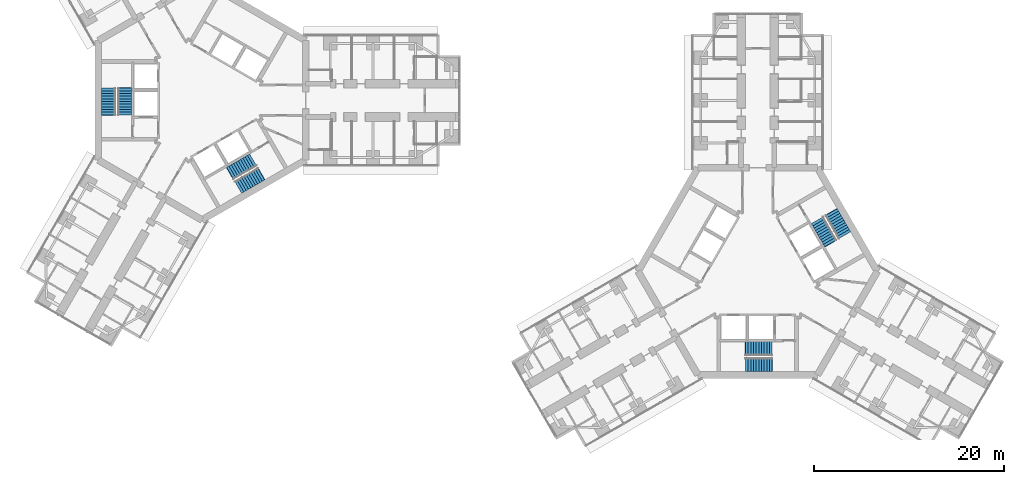
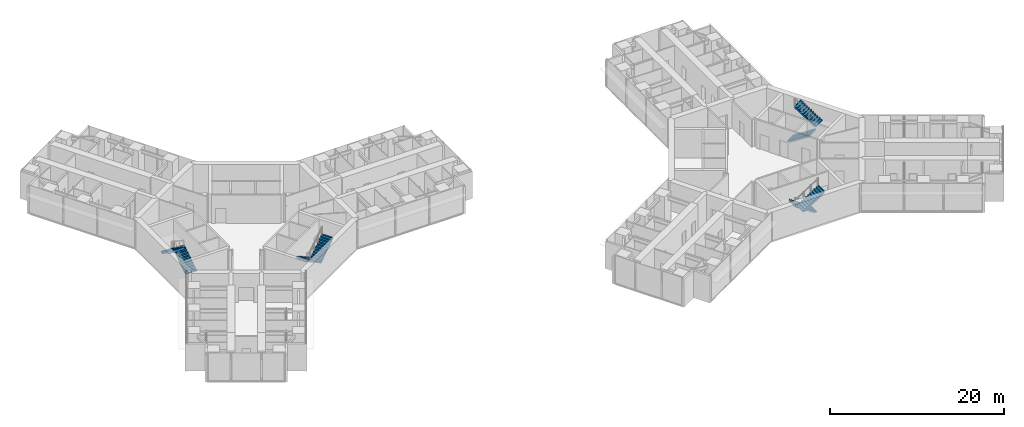
# One storey, part 24 of 25: 8 stair flights, 4 elements without a shape of their own.
"""IFC4 building model written with IfcOpenShell, lengths in metres."""

import ifcopenshell
import ifcopenshell.guid

model = None  # the IFC model being written
_history = None  # IfcOwnerHistory: only IFC2X3 demands one
_inside = {}  # id of a spatial element -> (the spatial element, [elements in it])
_under = {}  # id of a project, library or spatial element -> (it, [spatial elements below it])
_declared = {}  # id of a project -> (the project, [libraries it declares])
_typed = {}  # id of a type object -> (the type object, [elements of that type])
_made_of = {}  # id of a material, layer set ... -> (it, [elements and type objects made of it])


def new_model(schema):
    """Start an empty IFC model of exactly this schema.

    Asked for "IFC4X3", IfcOpenShell would pick the latest addendum, in which some entities
    have other attributes; the version numbers below select the first issue.
    IFC2X3 requires an IfcOwnerHistory on every rooted entity: one is made here for all.
    """
    global model, _history
    if schema == "IFC4X3":
        model = ifcopenshell.file(schema_version=(4, 3, 0, 0))
    else:
        model = ifcopenshell.file(schema=schema)
    _inside.clear()
    _under.clear()
    _declared.clear()
    _typed.clear()
    _made_of.clear()
    _history = None
    if model.schema == "IFC2X3":
        org = make("IfcOrganization", Name="unknown")
        user = make(
            "IfcPersonAndOrganization",
            ThePerson=make("IfcPerson", FamilyName="unknown"),
            TheOrganization=org,
        )
        app = make(
            "IfcApplication",
            ApplicationDeveloper=org,
            Version="unknown",
            ApplicationFullName="unknown",
            ApplicationIdentifier="unknown",
        )
        _history = make(
            "IfcOwnerHistory",
            OwningUser=user,
            OwningApplication=app,
            ChangeAction="ADDED",
            CreationDate=0,
        )
    return model


def make(cls, **values):
    """One entity of the class cls with the attributes given. An attribute that is None is left unset."""
    return model.create_entity(
        cls, **{name: value for name, value in values.items() if value is not None}
    )


def rooted(cls, **values):
    """An entity with a GlobalId (a new one), such as an element, a storey or a relation."""
    return make(cls, GlobalId=ifcopenshell.guid.new(), OwnerHistory=_history, **values)


def si_unit(unit_type, name, prefix=None):
    """IfcSIUnit, for example si_unit("LENGTHUNIT", "METRE", prefix="MILLI")."""
    return make("IfcSIUnit", UnitType=unit_type, Prefix=prefix, Name=name)


def assignment(units):
    """IfcUnitAssignment: the units of a project."""
    return None if units is None else make("IfcUnitAssignment", Units=units)


def point(xyz):
    """IfcCartesianPoint."""
    return None if xyz is None else make("IfcCartesianPoint", Coordinates=xyz)


def direction(xyz):
    """IfcDirection."""
    return None if xyz is None else make("IfcDirection", DirectionRatios=xyz)


def frame(location, z_axis=None, x_axis=None):
    """IfcAxis2Placement3D, a coordinate frame: its origin and axes. An axis left out is left unset."""
    return make(
        "IfcAxis2Placement3D",
        Location=point(location),
        Axis=direction(z_axis),
        RefDirection=direction(x_axis),
    )


def origin():
    """The frame at (0, 0, 0) with its axes left unset."""
    return frame((0.0, 0.0, 0.0))


def place(relative_to, where):
    """IfcLocalPlacement: puts the frame where relative to a parent placement (None: the world)."""
    return make(
        "IfcLocalPlacement", PlacementRelTo=relative_to, RelativePlacement=where
    )


def context(
    kind, dimensions, precision=None, world=None, true_north=None, identifier=None
):
    """IfcGeometricRepresentationContext, for example the 3D "Model" context."""
    return make(
        "IfcGeometricRepresentationContext",
        ContextIdentifier=identifier,
        ContextType=kind,
        CoordinateSpaceDimension=dimensions,
        Precision=precision,
        WorldCoordinateSystem=world,
        TrueNorth=true_north,
    )


def subcontext(parent, identifier, kind, view, scale=None):
    """IfcGeometricRepresentationSubContext, for example "Body" below "Model"."""
    return make(
        "IfcGeometricRepresentationSubContext",
        ContextIdentifier=identifier,
        ContextType=kind,
        ParentContext=parent,
        TargetScale=scale,
        TargetView=view,
    )


def project(units=None, contexts=None):
    """IfcProject with its units and contexts."""
    return rooted(
        "IfcProject",
        Name="project",
        RepresentationContexts=contexts,
        UnitsInContext=assignment(units),
    )


def spatial(cls, under=None, at=None, **own):
    """A site, building, storey or space (cls), placed at a placement, below another one or the project."""
    s = rooted(cls, ObjectPlacement=at, **own)
    if under is not None:
        _under.setdefault(under.id(), (under, []))[1].append(s)
    return s


def polyline(points):
    """IfcPolyline through the points."""
    return make("IfcPolyline", Points=[point(p) for p in points])


def outline(outer, holes=None, kind="AREA"):
    """IfcArbitraryClosedProfileDef: a profile drawn as a closed curve; with holes, ...WithVoids."""
    if holes is None:
        return make("IfcArbitraryClosedProfileDef", ProfileType=kind, OuterCurve=outer)
    return make(
        "IfcArbitraryProfileDefWithVoids",
        ProfileType=kind,
        OuterCurve=outer,
        InnerCurves=holes,
    )


def extrude(swept, where, along, depth):
    """IfcExtrudedAreaSolid: the profile swept, set in the frame where, extruded along a direction by depth."""
    return make(
        "IfcExtrudedAreaSolid",
        SweptArea=swept,
        Position=where,
        ExtrudedDirection=direction(along),
        Depth=depth,
    )


def shape(context_of_items, identifier, shape_type, items):
    """IfcShapeRepresentation: the items that make up one representation, for example the "Body"."""
    return make(
        "IfcShapeRepresentation",
        ContextOfItems=context_of_items,
        RepresentationIdentifier=identifier,
        RepresentationType=shape_type,
        Items=items,
    )


def material(Name=None, Category=None):
    """IfcMaterial."""
    return make("IfcMaterial", Name=Name, Category=Category)


def made_of(thing, what):
    """Note that an element or type object is made of a material, layer set ...; save() writes the relation."""
    if what is not None:
        _made_of.setdefault(what.id(), (what, []))[1].append(thing)
    return thing


def type_object(cls, material=None, **own):
    """A type object (cls), such as IfcWallType, which elements share."""
    return made_of(rooted(cls, **own), material)


def element(
    cls,
    number,
    at=None,
    inside=None,
    cuts=None,
    type_object=None,
    material=None,
    context=None,
    identifier="Body",
    shape_type=None,
    held_by="IfcProductDefinitionShape",
    body=None,
    shapes=None,
    **own,
):
    """One element of the class cls, such as IfcWall. Its Tag is "e" and its number.

    at: its placement. inside: the storey or other place that contains it. cuts: it is an
    opening in that element (IfcRelVoidsElement). A single representation is given by context,
    identifier, shape_type and body (its items); several are given by shapes. held_by: the class
    of the entity that holds the representations. save() writes the other relations.
    """
    e = rooted(cls, Tag="e%d" % number, ObjectPlacement=at, **own)
    if body is not None:
        shapes = [shape(context, identifier, shape_type, body)]
    if shapes is not None:
        e.Representation = make(held_by, Representations=shapes)
    if inside is not None:
        _inside.setdefault(inside.id(), (inside, []))[1].append(e)
    if cuts is not None:
        rooted(
            "IfcRelVoidsElement", RelatingBuildingElement=cuts, RelatedOpeningElement=e
        )
    if type_object is not None:
        _typed.setdefault(type_object.id(), (type_object, []))[1].append(e)
    return made_of(e, material)


def aggregate(whole, parts):
    """IfcRelAggregates: a whole, such as a stair, and the parts it consists of."""
    return rooted("IfcRelAggregates", RelatingObject=whole, RelatedObjects=parts)


def save(model, path):
    """Write the relations noted so far, then the file.

    IfcRelAggregates (storeys below a building ...), IfcRelContainedInSpatialStructure (elements
    in a storey), IfcRelDefinesByType, IfcRelAssociatesMaterial and IfcRelDeclares: one each for
    every whole, place, type object, material and project.
    """
    for whole, parts in _under.values():
        aggregate(whole, parts)
    for where, things in _inside.values():
        rooted(
            "IfcRelContainedInSpatialStructure",
            RelatedElements=things,
            RelatingStructure=where,
        )
    for kind, things in _typed.values():
        rooted("IfcRelDefinesByType", RelatedObjects=things, RelatingType=kind)
    for what, things in _made_of.values():
        rooted("IfcRelAssociatesMaterial", RelatedObjects=things, RelatingMaterial=what)
    for by, libraries in _declared.values():
        rooted("IfcRelDeclares", RelatingContext=by, RelatedDefinitions=libraries)
    model.write(path)


model = new_model("IFC4")

# Units and contexts
model_context = context("Model", 3, precision=1e-05, world=origin(), true_north=direction((0.0, 1.0)))
body_context = subcontext(model_context, "Body", "Model", "MODEL_VIEW")
ifc_project = project(units=[si_unit("LENGTHUNIT", "METRE"), si_unit("AREAUNIT", "SQUARE_METRE"), si_unit("VOLUMEUNIT", "CUBIC_METRE"), si_unit("PLANEANGLEUNIT", "RADIAN"), si_unit("MASSUNIT", "GRAM", prefix="KILO")], contexts=[model_context])

# Site, building, storey
site_placement = place(None, origin())
site = spatial("IfcSite", under=ifc_project, at=site_placement, CompositionType="ELEMENT")
building_placement = place(site_placement, origin())
building = spatial("IfcBuilding", under=site, at=building_placement, Name="Upepo Twin Towers", CompositionType="ELEMENT")
storey_placement = place(building_placement, frame((0.0, 0.0, 76.5)))
storey = spatial("IfcBuildingStorey", under=building, at=storey_placement, Name="L18", CompositionType="ELEMENT", Elevation=76.5)

# Stair, stair flights
ifc_material_1 = material(Name="Concrete C40/50", Category="concrete")
stair_type = type_object("IfcStairType", Name="Core stair, two flights", PredefinedType="HALF_TURN_STAIR", material=ifc_material_1)
stair_1_placement = place(storey_placement, origin())
stair_1 = element("IfcStair", 1, at=stair_1_placement, inside=storey, type_object=stair_type, Name="T1 stair S1 L18", PredefinedType="HALF_TURN_STAIR")
ifc_material_2 = material(Name="Concrete C40/50", Category="concrete")
stair_flight_type = type_object("IfcStairFlightType", Name="Stair flight 1450 RC", PredefinedType="STRAIGHT", material=ifc_material_2)
stair_flight_1_placement = place(storey_placement, frame((-8.125, -1.52001953125, 0.0), z_axis=(0.0, 0.0, 1.0), x_axis=(0.0, 1.0, 0.0)))
stair_flight_1 = element("IfcStairFlight", 2, at=stair_flight_1_placement, type_object=stair_flight_type, Name="Stair S1 flight 1", NumberOfRisers=11, NumberOfTreads=10, PredefinedType="STRAIGHT", RiserHeight=0.181818182, TreadLength=0.28, context=body_context, shape_type="SweptSolid", body=[
    extrude(outline(polyline([(0.0, 0.0), (0.0, 0.181884765625), (0.280029296875, 0.181884765625), (0.280029296875, 0.363525390625), (0.56005859375, 0.363525390625), (0.56005859375, 0.54541015625), (0.840087890625, 0.54541015625), (0.840087890625, 0.727294921875), (1.1201171875, 0.727294921875), (1.1201171875, 0.9091796875), (1.39990234375, 0.9091796875), (1.39990234375, 1.0908203125), (1.679931640625, 1.0908203125), (1.679931640625, 1.272705078125), (1.9599609375, 1.272705078125), (1.9599609375, 1.45458984375), (2.239990234375, 1.45458984375), (2.239990234375, 1.636474609375), (2.52001953125, 1.636474609375), (2.52001953125, 1.818115234375), (2.800048828125, 1.818115234375), (2.800048828125, 2.0), (2.85009765625, 2.0), (2.85009765625, 1.639404296875), (0.3251953125, 0.0), (0.0, 0.0)])), frame((0.0, 0.72509765625, 0.0), z_axis=(0.0, -1.0, 0.0), x_axis=(1.0, 0.0, 0.0)), (0.0, 0.0, 1.0), 1.449951171875),
])
stair_flight_2_placement = place(storey_placement, frame((-9.833251953125, 1.280029296875, 2.0), z_axis=(0.0, 0.0, 1.0), x_axis=(0.0, -1.0, 0.0)))
stair_flight_2 = element("IfcStairFlight", 3, at=stair_flight_2_placement, type_object=stair_flight_type, Name="Stair S1 flight 2", NumberOfRisers=11, NumberOfTreads=10, PredefinedType="STRAIGHT", RiserHeight=0.181818182, TreadLength=0.28, context=body_context, shape_type="SweptSolid", body=[
    extrude(outline(polyline([(0.0, 0.0), (0.0, 0.181884765625), (0.280029296875, 0.181884765625), (0.280029296875, 0.363525390625), (0.56005859375, 0.363525390625), (0.56005859375, 0.54541015625), (0.840087890625, 0.54541015625), (0.840087890625, 0.727294921875), (1.1201171875, 0.727294921875), (1.1201171875, 0.9091796875), (1.39990234375, 0.9091796875), (1.39990234375, 1.0908203125), (1.679931640625, 1.0908203125), (1.679931640625, 1.272705078125), (1.9599609375, 1.272705078125), (1.9599609375, 1.45458984375), (2.239990234375, 1.45458984375), (2.239990234375, 1.636474609375), (2.52001953125, 1.636474609375), (2.52001953125, 1.818115234375), (2.800048828125, 1.818115234375), (2.800048828125, 2.0), (2.85009765625, 2.0), (2.85009765625, 1.639404296875), (0.3251953125, 0.0), (0.0, 0.0)])), frame((0.0, 0.72509765625, 0.0), z_axis=(0.0, -1.0, 0.0), x_axis=(1.0, 0.0, 0.0)), (0.0, 0.0, 1.0), 1.449951171875),
])
aggregate(stair_1, [stair_flight_1, stair_flight_2])

stair_2_placement = place(storey_placement, origin())
stair_2 = element("IfcStair", 4, at=stair_2_placement, inside=storey, type_object=stair_type, Name="T1 stair S2 L18", PredefinedType="HALF_TURN_STAIR")
stair_flight_3_placement = place(storey_placement, frame((5.37890625, -6.2763671875, 0.0), z_axis=(0.0, 0.0, 1.0), x_axis=(-0.866025403784, -0.5, 0.0)))
stair_flight_3 = element("IfcStairFlight", 5, at=stair_flight_3_placement, type_object=stair_flight_type, Name="Stair S2 flight 1", NumberOfRisers=11, NumberOfTreads=10, PredefinedType="STRAIGHT", RiserHeight=0.181818182, TreadLength=0.28, context=body_context, shape_type="SweptSolid", body=[
    extrude(outline(polyline([(0.0, 0.0), (0.0, 0.181884765625), (0.280029296875, 0.181884765625), (0.280029296875, 0.363525390625), (0.56005859375, 0.363525390625), (0.56005859375, 0.54541015625), (0.840087890625, 0.54541015625), (0.840087890625, 0.727294921875), (1.1201171875, 0.727294921875), (1.1201171875, 0.9091796875), (1.39990234375, 0.9091796875), (1.39990234375, 1.0908203125), (1.679931640625, 1.0908203125), (1.679931640625, 1.272705078125), (1.9599609375, 1.272705078125), (1.9599609375, 1.45458984375), (2.239990234375, 1.45458984375), (2.239990234375, 1.636474609375), (2.52001953125, 1.636474609375), (2.52001953125, 1.818115234375), (2.800048828125, 1.818115234375), (2.800048828125, 2.0), (2.85009765625, 2.0), (2.85009765625, 1.639404296875), (0.3251953125, 0.0), (0.0, 0.0)])), frame((0.0, 0.72509765625, 0.0), z_axis=(0.0, -1.0, 0.0), x_axis=(1.0, 0.0, 0.0)), (0.0, 0.0, 1.0), 1.449951171875),
])
stair_flight_4_placement = place(storey_placement, frame((3.80810546875, -9.156005859375, 2.0), z_axis=(0.0, 0.0, 1.0), x_axis=(0.866025403784, 0.5, 0.0)))
stair_flight_4 = element("IfcStairFlight", 6, at=stair_flight_4_placement, type_object=stair_flight_type, Name="Stair S2 flight 2", NumberOfRisers=11, NumberOfTreads=10, PredefinedType="STRAIGHT", RiserHeight=0.181818182, TreadLength=0.28, context=body_context, shape_type="SweptSolid", body=[
    extrude(outline(polyline([(0.0, 0.0), (0.0, 0.181884765625), (0.280029296875, 0.181884765625), (0.280029296875, 0.363525390625), (0.56005859375, 0.363525390625), (0.56005859375, 0.54541015625), (0.840087890625, 0.54541015625), (0.840087890625, 0.727294921875), (1.1201171875, 0.727294921875), (1.1201171875, 0.9091796875), (1.39990234375, 0.9091796875), (1.39990234375, 1.0908203125), (1.679931640625, 1.0908203125), (1.679931640625, 1.272705078125), (1.9599609375, 1.272705078125), (1.9599609375, 1.45458984375), (2.239990234375, 1.45458984375), (2.239990234375, 1.636474609375), (2.52001953125, 1.636474609375), (2.52001953125, 1.818115234375), (2.800048828125, 1.818115234375), (2.800048828125, 2.0), (2.85009765625, 2.0), (2.85009765625, 1.639404296875), (0.3251953125, 0.0), (0.0, 0.0)])), frame((0.0, 0.72509765625, 0.0), z_axis=(0.0, -1.0, 0.0), x_axis=(1.0, 0.0, 0.0)), (0.0, 0.0, 1.0), 1.449951171875),
])
aggregate(stair_2, [stair_flight_3, stair_flight_4])

stair_3_placement = place(storey_placement, origin())
stair_3 = element("IfcStair", 7, at=stair_3_placement, inside=storey, type_object=stair_type, Name="T2 stair S1 L18", PredefinedType="HALF_TURN_STAIR")
stair_flight_5_placement = place(storey_placement, frame((60.02001953125, -26.125, 0.0), z_axis=(0.0, 0.0, 1.0), x_axis=(-1.0, 0.0, 0.0)))
stair_flight_5 = element("IfcStairFlight", 8, at=stair_flight_5_placement, type_object=stair_flight_type, Name="Stair S1 flight 1", NumberOfRisers=11, NumberOfTreads=10, PredefinedType="STRAIGHT", RiserHeight=0.181818182, TreadLength=0.28, context=body_context, shape_type="SweptSolid", body=[
    extrude(outline(polyline([(0.0, 0.0), (0.0, 0.181884765625), (0.280029296875, 0.181884765625), (0.280029296875, 0.363525390625), (0.56005859375, 0.363525390625), (0.56005859375, 0.54541015625), (0.840087890625, 0.54541015625), (0.840087890625, 0.727294921875), (1.1201171875, 0.727294921875), (1.1201171875, 0.9091796875), (1.39990234375, 0.9091796875), (1.39990234375, 1.0908203125), (1.679931640625, 1.0908203125), (1.679931640625, 1.272705078125), (1.9599609375, 1.272705078125), (1.9599609375, 1.45458984375), (2.239990234375, 1.45458984375), (2.239990234375, 1.636474609375), (2.52001953125, 1.636474609375), (2.52001953125, 1.818115234375), (2.800048828125, 1.818115234375), (2.800048828125, 2.0), (2.85009765625, 2.0), (2.85009765625, 1.639404296875), (0.3251953125, 0.0), (0.0, 0.0)])), frame((0.0, 0.72509765625, 0.0), z_axis=(0.0, -1.0, 0.0), x_axis=(1.0, 0.0, 0.0)), (0.0, 0.0, 1.0), 1.449951171875),
])
stair_flight_6_placement = place(storey_placement, frame((57.219970703125, -27.833251953125, 2.0), z_axis=(0.0, 0.0, 1.0), x_axis=(1.0, 0.0, 0.0)))
stair_flight_6 = element("IfcStairFlight", 9, at=stair_flight_6_placement, type_object=stair_flight_type, Name="Stair S1 flight 2", NumberOfRisers=11, NumberOfTreads=10, PredefinedType="STRAIGHT", RiserHeight=0.181818182, TreadLength=0.28, context=body_context, shape_type="SweptSolid", body=[
    extrude(outline(polyline([(0.0, 0.0), (0.0, 0.181884765625), (0.280029296875, 0.181884765625), (0.280029296875, 0.363525390625), (0.56005859375, 0.363525390625), (0.56005859375, 0.54541015625), (0.840087890625, 0.54541015625), (0.840087890625, 0.727294921875), (1.1201171875, 0.727294921875), (1.1201171875, 0.9091796875), (1.39990234375, 0.9091796875), (1.39990234375, 1.0908203125), (1.679931640625, 1.0908203125), (1.679931640625, 1.272705078125), (1.9599609375, 1.272705078125), (1.9599609375, 1.45458984375), (2.239990234375, 1.45458984375), (2.239990234375, 1.636474609375), (2.52001953125, 1.636474609375), (2.52001953125, 1.818115234375), (2.800048828125, 1.818115234375), (2.800048828125, 2.0), (2.85009765625, 2.0), (2.85009765625, 1.639404296875), (0.3251953125, 0.0), (0.0, 0.0)])), frame((0.0, 0.72509765625, 0.0), z_axis=(0.0, -1.0, 0.0), x_axis=(1.0, 0.0, 0.0)), (0.0, 0.0, 1.0), 1.449951171875),
])
aggregate(stair_3, [stair_flight_5, stair_flight_6])

stair_4_placement = place(storey_placement, origin())
stair_4 = element("IfcStair", 10, at=stair_4_placement, inside=storey, type_object=stair_type, Name="T2 stair S2 L18", PredefinedType="HALF_TURN_STAIR")
stair_flight_7_placement = place(storey_placement, frame((64.7763671875, -12.62109375, 0.0), z_axis=(0.0, 0.0, 1.0), x_axis=(0.5, -0.866025403784, 0.0)))
stair_flight_7 = element("IfcStairFlight", 11, at=stair_flight_7_placement, type_object=stair_flight_type, Name="Stair S2 flight 1", NumberOfRisers=11, NumberOfTreads=10, PredefinedType="STRAIGHT", RiserHeight=0.181818182, TreadLength=0.28, context=body_context, shape_type="SweptSolid", body=[
    extrude(outline(polyline([(0.0, 0.0), (0.0, 0.181884765625), (0.280029296875, 0.181884765625), (0.280029296875, 0.363525390625), (0.56005859375, 0.363525390625), (0.56005859375, 0.54541015625), (0.840087890625, 0.54541015625), (0.840087890625, 0.727294921875), (1.1201171875, 0.727294921875), (1.1201171875, 0.9091796875), (1.39990234375, 0.9091796875), (1.39990234375, 1.0908203125), (1.679931640625, 1.0908203125), (1.679931640625, 1.272705078125), (1.9599609375, 1.272705078125), (1.9599609375, 1.45458984375), (2.239990234375, 1.45458984375), (2.239990234375, 1.636474609375), (2.52001953125, 1.636474609375), (2.52001953125, 1.818115234375), (2.800048828125, 1.818115234375), (2.800048828125, 2.0), (2.85009765625, 2.0), (2.85009765625, 1.639404296875), (0.3251953125, 0.0), (0.0, 0.0)])), frame((0.0, 0.72509765625, 0.0), z_axis=(0.0, -1.0, 0.0), x_axis=(1.0, 0.0, 0.0)), (0.0, 0.0, 1.0), 1.449951171875),
])
stair_flight_8_placement = place(storey_placement, frame((67.656005859375, -14.19189453125, 2.0), z_axis=(0.0, 0.0, 1.0), x_axis=(-0.5, 0.866025403784, 0.0)))
stair_flight_8 = element("IfcStairFlight", 12, at=stair_flight_8_placement, type_object=stair_flight_type, Name="Stair S2 flight 2", NumberOfRisers=11, NumberOfTreads=10, PredefinedType="STRAIGHT", RiserHeight=0.181818182, TreadLength=0.28, context=body_context, shape_type="SweptSolid", body=[
    extrude(outline(polyline([(0.0, 0.0), (0.0, 0.181884765625), (0.280029296875, 0.181884765625), (0.280029296875, 0.363525390625), (0.56005859375, 0.363525390625), (0.56005859375, 0.54541015625), (0.840087890625, 0.54541015625), (0.840087890625, 0.727294921875), (1.1201171875, 0.727294921875), (1.1201171875, 0.9091796875), (1.39990234375, 0.9091796875), (1.39990234375, 1.0908203125), (1.679931640625, 1.0908203125), (1.679931640625, 1.272705078125), (1.9599609375, 1.272705078125), (1.9599609375, 1.45458984375), (2.239990234375, 1.45458984375), (2.239990234375, 1.636474609375), (2.52001953125, 1.636474609375), (2.52001953125, 1.818115234375), (2.800048828125, 1.818115234375), (2.800048828125, 2.0), (2.85009765625, 2.0), (2.85009765625, 1.639404296875), (0.3251953125, 0.0), (0.0, 0.0)])), frame((0.0, 0.72509765625, 0.0), z_axis=(0.0, -1.0, 0.0), x_axis=(1.0, 0.0, 0.0)), (0.0, 0.0, 1.0), 1.449951171875),
])
aggregate(stair_4, [stair_flight_7, stair_flight_8])

save(model, "model.ifc")
